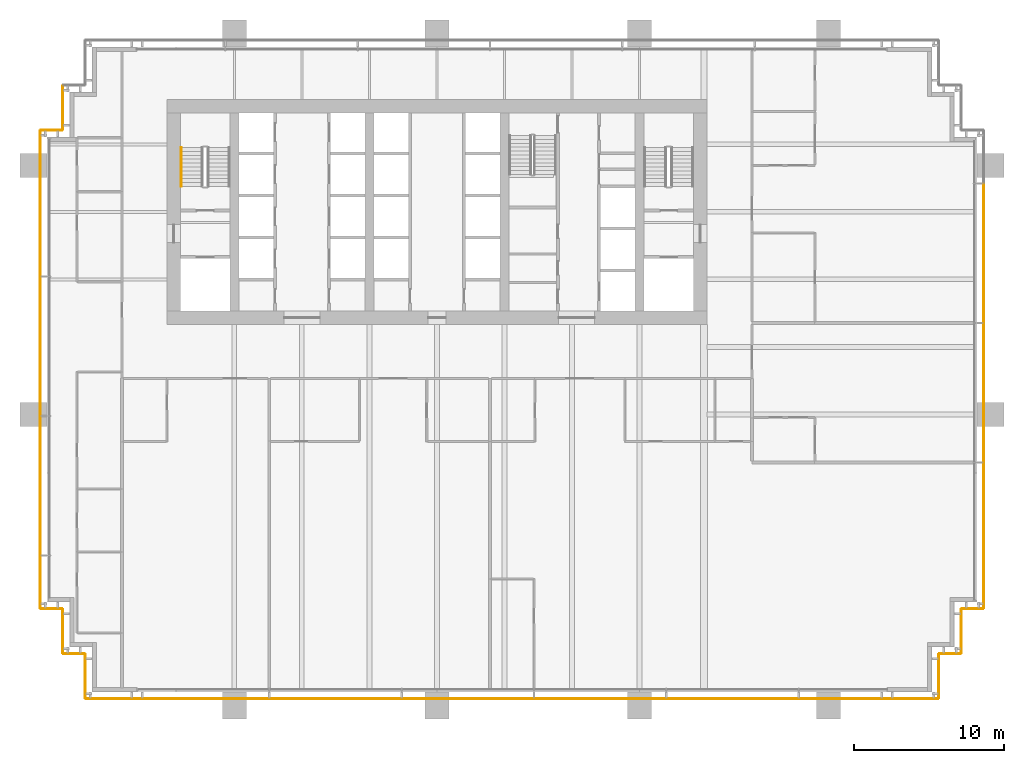
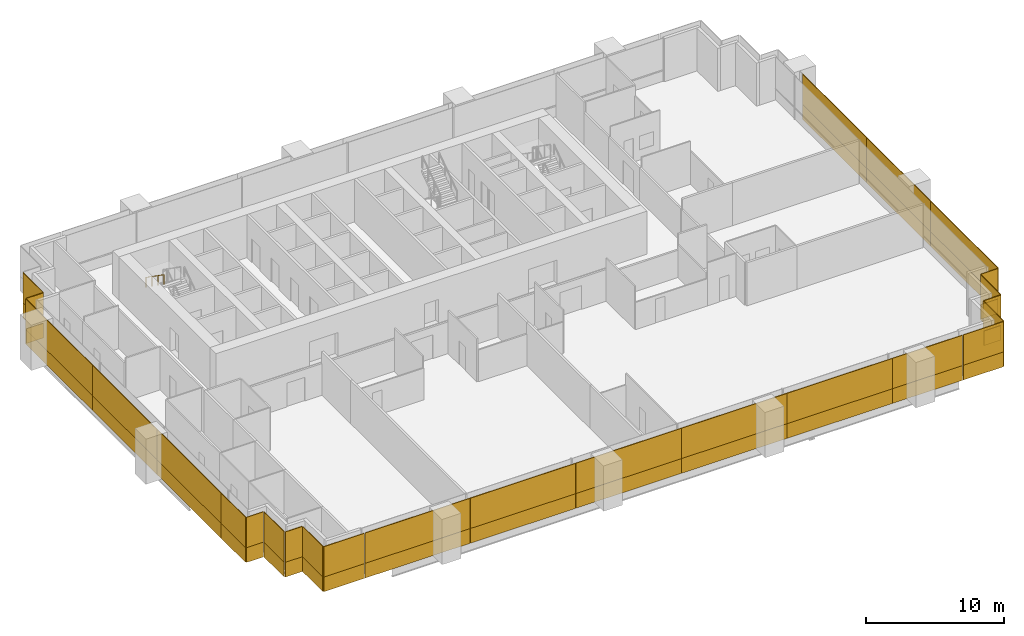
# One storey, part 17 of 19: 50 coverings, 1 railing.
"""IFC4 building model written with IfcOpenShell, lengths in metres."""

from ifc_helpers import new_model, si_unit, direction, frame, origin, origin_2d, place, context, subcontext, project, spatial, rectangle, extrude, material, layer, layer_set, type_object, element, save


model = new_model("IFC4")

# Units and contexts
model_context = context("Model", 3, precision=1e-05, world=origin(), true_north=direction((0.0, 1.0)))
body_context = subcontext(model_context, "Body", "Model", "MODEL_VIEW")
ifc_project = project(units=[si_unit("LENGTHUNIT", "METRE"), si_unit("AREAUNIT", "SQUARE_METRE"), si_unit("VOLUMEUNIT", "CUBIC_METRE"), si_unit("PLANEANGLEUNIT", "RADIAN"), si_unit("MASSUNIT", "GRAM", prefix="KILO")], contexts=[model_context])

# Site, building, storey
site_placement = place(None, origin())
site = spatial("IfcSite", under=ifc_project, at=site_placement, CompositionType="ELEMENT")
building_placement = place(site_placement, origin())
building = spatial("IfcBuilding", under=site, at=building_placement, Name="Rattan Terrace Tower", CompositionType="ELEMENT")
storey_placement = place(building_placement, frame((0.0, 0.0, 87.699951171875)))
storey = spatial("IfcBuildingStorey", under=building, at=storey_placement, Name="L19", CompositionType="ELEMENT", Elevation=87.699951171875)

# Railing
ifc_material_1 = material(Name="Powder-coated steel handrail", Category="steel")
railing_type = type_object("IfcRailingType", Name="Core stair handrail", PredefinedType="HANDRAIL", material=ifc_material_1)
railing_placement = place(storey_placement, frame((-17.050048828125, 4.300048828125, 2.181884765625)))
element("IfcRailing", 1, at=railing_placement, inside=storey, type_object=railing_type, Name="L19 S1 stair handrail 2", PredefinedType="HANDRAIL", context=body_context, shape_type="SweptSolid", body=[
    extrude(rectangle(XDim=0.048095703125, YDim=0.048095703125, at=origin_2d()), frame((0.0, 0.0, 0.8759765625), z_axis=(0.0, -0.819521025635, 0.573049115296), x_axis=(1.0, 0.0, 0.0)), (0.0, 0.0, 1.0), 3.172607421875),
    extrude(rectangle(XDim=0.0419921875, YDim=0.0419921875, at=origin_2d()), origin(), (0.0, 0.0, 1.0), 0.851806640625),
    extrude(rectangle(XDim=0.0419921875, YDim=0.0419921875, at=origin_2d()), frame((0.0, -0.86669921875, 0.60595703125)), (0.0, 0.0, 1.0), 0.851806640625),
    extrude(rectangle(XDim=0.0419921875, YDim=0.0419921875, at=origin_2d()), frame((0.0, -1.7333984375, 1.212158203125)), (0.0, 0.0, 1.0), 0.851806640625),
    extrude(rectangle(XDim=0.0419921875, YDim=0.0419921875, at=origin_2d()), frame((0.0, -2.60009765625, 1.818115234375)), (0.0, 0.0, 1.0), 0.851806640625),
])

# Coverings
ifc_material_2 = material(Name="Solid terracotta", Category="masonry")
ifc_layer_1 = layer(ifc_material_2, 0.06005859375)
ifc_layer_set_1 = layer_set([ifc_layer_1], Name="Facade Terracotta Band Panel")
covering_type_1 = type_object("IfcCoveringType", Name="Facade Terracotta Band Panel", PredefinedType="CLADDING", material=ifc_layer_set_1)
covering_1_placement = place(storey_placement, frame((31.72509765625, -32.449951171875, -0.18994140625), z_axis=(0.0, 0.0, 1.0), x_axis=(1.0, 0.0, 0.0)))
element("IfcCovering", 2, at=covering_1_placement, inside=storey, type_object=covering_type_1, Name="OUTER SKIN panel L19-1A", PredefinedType="CLADDING", context=body_context, shape_type="SweptSolid", body=[
    extrude(rectangle(XDim=3.3701171875, YDim=0.06005859375, at=origin_2d()), origin(), (0.0, 0.0, 1.0), 1.300048828125),
])
covering_2_placement = place(storey_placement, frame((33.449951171875, -30.949951171875, -0.18994140625), z_axis=(0.0, 0.0, 1.0), x_axis=(0.0, 1.0, 0.0)))
element("IfcCovering", 3, at=covering_2_placement, inside=storey, type_object=covering_type_1, Name="OUTER SKIN panel L19-2A", PredefinedType="CLADDING", context=body_context, shape_type="SweptSolid", body=[
    extrude(rectangle(XDim=2.919921875, YDim=0.06005859375, at=origin_2d()), origin(), (0.0, 0.0, 1.0), 1.300048828125),
])
covering_3_placement = place(storey_placement, frame((34.199951171875, -29.449951171875, -0.18994140625), z_axis=(0.0, 0.0, 1.0), x_axis=(1.0, 0.0, 0.0)))
element("IfcCovering", 4, at=covering_3_placement, inside=storey, type_object=covering_type_1, Name="OUTER SKIN panel L19-3A", PredefinedType="CLADDING", context=body_context, shape_type="SweptSolid", body=[
    extrude(rectangle(XDim=1.419921875, YDim=0.06005859375, at=origin_2d()), origin(), (0.0, 0.0, 1.0), 1.300048828125),
])
covering_4_placement = place(storey_placement, frame((34.949951171875, -27.949951171875, -0.18994140625), z_axis=(0.0, 0.0, 1.0), x_axis=(0.0, 1.0, 0.0)))
element("IfcCovering", 5, at=covering_4_placement, inside=storey, type_object=covering_type_1, Name="OUTER SKIN panel L19-4A", PredefinedType="CLADDING", context=body_context, shape_type="SweptSolid", body=[
    extrude(rectangle(XDim=2.919921875, YDim=0.06005859375, at=origin_2d()), origin(), (0.0, 0.0, 1.0), 1.300048828125),
])
covering_5_placement = place(storey_placement, frame((35.699951171875, -26.449951171875, -0.18994140625), z_axis=(0.0, 0.0, 1.0), x_axis=(1.0, 0.0, 0.0)))
element("IfcCovering", 6, at=covering_5_placement, inside=storey, type_object=covering_type_1, Name="OUTER SKIN panel L19-5A", PredefinedType="CLADDING", context=body_context, shape_type="SweptSolid", body=[
    extrude(rectangle(XDim=1.419921875, YDim=0.06005859375, at=origin_2d()), origin(), (0.0, 0.0, 1.0), 1.300048828125),
])
covering_6_placement = place(storey_placement, frame((36.449951171875, -21.56005859375, -0.18994140625), z_axis=(0.0, 0.0, 1.0), x_axis=(0.0, 1.0, 0.0)))
element("IfcCovering", 7, at=covering_6_placement, inside=storey, type_object=covering_type_1, Name="OUTER SKIN panel L19-6A", PredefinedType="CLADDING", context=body_context, shape_type="SweptSolid", body=[
    extrude(rectangle(XDim=9.699951171875, YDim=0.06005859375, at=origin_2d()), origin(), (0.0, 0.0, 1.0), 1.300048828125),
])
for number, where, z_axis, x_axis, name in (
    (8, (36.449951171875, -12.050048828125, -0.18994140625), (0.0, 0.0, 1.0), (0.0, 1.0, 0.0), "OUTER SKIN panel L19-7A"),
    (9, (36.449951171875, -2.75, -0.18994140625), (0.0, 0.0, 1.0), (0.0, 1.0, 0.0), "OUTER SKIN panel L19-8A"),
):
    element("IfcCovering", number, at=place(storey_placement, frame(where, z_axis=z_axis, x_axis=x_axis)), inside=storey, type_object=covering_type_1, Name=name, PredefinedType="CLADDING", context=body_context, shape_type="SweptSolid", body=[
        extrude(rectangle(XDim=9.280029296875, YDim=0.06005859375, at=origin_2d()), origin(), (0.0, 0.0, 1.0), 1.300048828125),
    ])
covering_7_placement = place(storey_placement, frame((-24.949951171875, 6.949951171875, -0.18994140625), z_axis=(0.0, 0.0, 1.0), x_axis=(0.0, -1.0, 0.0)))
element("IfcCovering", 10, at=covering_7_placement, inside=storey, type_object=covering_type_1, Name="OUTER SKIN panel L19-24A", PredefinedType="CLADDING", context=body_context, shape_type="SweptSolid", body=[
    extrude(rectangle(XDim=2.919921875, YDim=0.06005859375, at=origin_2d()), origin(), (0.0, 0.0, 1.0), 1.300048828125),
])
covering_8_placement = place(storey_placement, frame((-25.699951171875, 5.449951171875, -0.18994140625), z_axis=(0.0, 0.0, 1.0), x_axis=(-1.0, 0.0, 0.0)))
element("IfcCovering", 11, at=covering_8_placement, inside=storey, type_object=covering_type_1, Name="OUTER SKIN panel L19-25A", PredefinedType="CLADDING", context=body_context, shape_type="SweptSolid", body=[
    extrude(rectangle(XDim=1.419921875, YDim=0.06005859375, at=origin_2d()), origin(), (0.0, 0.0, 1.0), 1.300048828125),
])
covering_9_placement = place(storey_placement, frame((-26.449951171875, 0.56005859375, -0.18994140625), z_axis=(0.0, 0.0, 1.0), x_axis=(0.0, -1.0, 0.0)))
element("IfcCovering", 12, at=covering_9_placement, inside=storey, type_object=covering_type_1, Name="OUTER SKIN panel L19-26A", PredefinedType="CLADDING", context=body_context, shape_type="SweptSolid", body=[
    extrude(rectangle(XDim=9.699951171875, YDim=0.06005859375, at=origin_2d()), origin(), (0.0, 0.0, 1.0), 1.300048828125),
])
for number, where, z_axis, x_axis, name in (
    (13, (-26.449951171875, -8.949951171875, -0.18994140625), (0.0, 0.0, 1.0), (0.0, -1.0, 0.0), "OUTER SKIN panel L19-27A"),
    (14, (-26.449951171875, -18.25, -0.18994140625), (0.0, 0.0, 1.0), (0.0, -1.0, 0.0), "OUTER SKIN panel L19-28A"),
):
    element("IfcCovering", number, at=place(storey_placement, frame(where, z_axis=z_axis, x_axis=x_axis)), inside=storey, type_object=covering_type_1, Name=name, PredefinedType="CLADDING", context=body_context, shape_type="SweptSolid", body=[
        extrude(rectangle(XDim=9.280029296875, YDim=0.06005859375, at=origin_2d()), origin(), (0.0, 0.0, 1.0), 1.300048828125),
    ])
covering_10_placement = place(storey_placement, frame((-26.449951171875, -24.659912109375, -0.18994140625), z_axis=(0.0, 0.0, 1.0), x_axis=(0.0, -1.0, 0.0)))
element("IfcCovering", 15, at=covering_10_placement, inside=storey, type_object=covering_type_1, Name="OUTER SKIN panel L19-29A", PredefinedType="CLADDING", context=body_context, shape_type="SweptSolid", body=[
    extrude(rectangle(XDim=3.5, YDim=0.06005859375, at=origin_2d()), origin(), (0.0, 0.0, 1.0), 1.300048828125),
])
covering_11_placement = place(storey_placement, frame((-25.699951171875, -26.449951171875, -0.18994140625), z_axis=(0.0, 0.0, 1.0), x_axis=(1.0, 0.0, 0.0)))
element("IfcCovering", 16, at=covering_11_placement, inside=storey, type_object=covering_type_1, Name="OUTER SKIN panel L19-30A", PredefinedType="CLADDING", context=body_context, shape_type="SweptSolid", body=[
    extrude(rectangle(XDim=1.419921875, YDim=0.06005859375, at=origin_2d()), origin(), (0.0, 0.0, 1.0), 1.300048828125),
])
covering_12_placement = place(storey_placement, frame((-24.949951171875, -27.949951171875, -0.18994140625), z_axis=(0.0, 0.0, 1.0), x_axis=(0.0, -1.0, 0.0)))
element("IfcCovering", 17, at=covering_12_placement, inside=storey, type_object=covering_type_1, Name="OUTER SKIN panel L19-31A", PredefinedType="CLADDING", context=body_context, shape_type="SweptSolid", body=[
    extrude(rectangle(XDim=2.919921875, YDim=0.06005859375, at=origin_2d()), origin(), (0.0, 0.0, 1.0), 1.300048828125),
])
covering_13_placement = place(storey_placement, frame((-24.199951171875, -29.449951171875, -0.18994140625), z_axis=(0.0, 0.0, 1.0), x_axis=(1.0, 0.0, 0.0)))
element("IfcCovering", 18, at=covering_13_placement, inside=storey, type_object=covering_type_1, Name="OUTER SKIN panel L19-32A", PredefinedType="CLADDING", context=body_context, shape_type="SweptSolid", body=[
    extrude(rectangle(XDim=1.419921875, YDim=0.06005859375, at=origin_2d()), origin(), (0.0, 0.0, 1.0), 1.300048828125),
])
covering_14_placement = place(storey_placement, frame((-23.449951171875, -30.949951171875, -0.18994140625), z_axis=(0.0, 0.0, 1.0), x_axis=(0.0, -1.0, 0.0)))
element("IfcCovering", 19, at=covering_14_placement, inside=storey, type_object=covering_type_1, Name="OUTER SKIN panel L19-33A", PredefinedType="CLADDING", context=body_context, shape_type="SweptSolid", body=[
    extrude(rectangle(XDim=2.919921875, YDim=0.06005859375, at=origin_2d()), origin(), (0.0, 0.0, 1.0), 1.300048828125),
])
covering_15_placement = place(storey_placement, frame((-21.72509765625, -32.449951171875, -0.18994140625), z_axis=(0.0, 0.0, 1.0), x_axis=(1.0, 0.0, 0.0)))
element("IfcCovering", 20, at=covering_15_placement, inside=storey, type_object=covering_type_1, Name="OUTER SKIN panel L19-34A", PredefinedType="CLADDING", context=body_context, shape_type="SweptSolid", body=[
    extrude(rectangle(XDim=3.3701171875, YDim=0.06005859375, at=origin_2d()), origin(), (0.0, 0.0, 1.0), 1.300048828125),
])
covering_16_placement = place(storey_placement, frame((-15.573486328125, -32.449951171875, -0.18994140625), z_axis=(0.0, 0.0, 1.0), x_axis=(1.0, 0.0, 0.0)))
element("IfcCovering", 21, at=covering_16_placement, inside=storey, type_object=covering_type_1, Name="OUTER SKIN panel L19-35A", PredefinedType="CLADDING", context=body_context, shape_type="SweptSolid", body=[
    extrude(rectangle(XDim=8.77294921875, YDim=0.06005859375, at=origin_2d()), origin(), (0.0, 0.0, 1.0), 1.300048828125),
])
for number, where, z_axis, x_axis, name in (
    (22, (-6.765380859375, -32.449951171875, -0.18994140625), (0.0, 0.0, 1.0), (1.0, 0.0, 0.0), "OUTER SKIN panel L19-36A"),
    (23, (2.0576171875, -32.449951171875, -0.18994140625), (0.0, 0.0, 1.0), (1.0, 0.0, 0.0), "OUTER SKIN panel L19-37A"),
    (24, (10.880615234375, -32.449951171875, -0.18994140625), (0.0, 0.0, 1.0), (1.0, 0.0, 0.0), "OUTER SKIN panel L19-38A"),
    (25, (19.70361328125, -32.449951171875, -0.18994140625), (0.0, 0.0, 1.0), (1.0, 0.0, 0.0), "OUTER SKIN panel L19-39A"),
):
    element("IfcCovering", number, at=place(storey_placement, frame(where, z_axis=z_axis, x_axis=x_axis)), inside=storey, type_object=covering_type_1, Name=name, PredefinedType="CLADDING", context=body_context, shape_type="SweptSolid", body=[
        extrude(rectangle(XDim=8.802978515625, YDim=0.06005859375, at=origin_2d()), origin(), (0.0, 0.0, 1.0), 1.300048828125),
    ])
covering_17_placement = place(storey_placement, frame((27.04248046875, -32.449951171875, -0.18994140625), z_axis=(0.0, 0.0, 1.0), x_axis=(1.0, 0.0, 0.0)))
element("IfcCovering", 26, at=covering_17_placement, inside=storey, type_object=covering_type_1, Name="OUTER SKIN panel L19-40A", PredefinedType="CLADDING", context=body_context, shape_type="SweptSolid", body=[
    extrude(rectangle(XDim=5.8349609375, YDim=0.06005859375, at=origin_2d()), origin(), (0.0, 0.0, 1.0), 1.300048828125),
])
ifc_material_3 = material(Name="Perforated terracotta", Category="masonry")
ifc_layer_2 = layer(ifc_material_3, 0.06005859375)
ifc_layer_set_2 = layer_set([ifc_layer_2], Name="Facade Terracotta Screen Panel")
covering_type_2 = type_object("IfcCoveringType", Name="Facade Terracotta Screen Panel", PredefinedType="CLADDING", material=ifc_layer_set_2)
covering_18_placement = place(storey_placement, frame((31.72509765625, -32.449951171875, 1.10986328125), z_axis=(0.0, 0.0, 1.0), x_axis=(1.0, 0.0, 0.0)))
element("IfcCovering", 27, at=covering_18_placement, inside=storey, type_object=covering_type_2, Name="OUTER SKIN panel L19-1B", PredefinedType="CLADDING", context=body_context, shape_type="SweptSolid", body=[
    extrude(rectangle(XDim=3.3701171875, YDim=0.06005859375, at=origin_2d()), origin(), (0.0, 0.0, 1.0), 2.679931640625),
])
covering_19_placement = place(storey_placement, frame((33.449951171875, -30.949951171875, 1.10986328125), z_axis=(0.0, 0.0, 1.0), x_axis=(0.0, 1.0, 0.0)))
element("IfcCovering", 28, at=covering_19_placement, inside=storey, type_object=covering_type_2, Name="OUTER SKIN panel L19-2B", PredefinedType="CLADDING", context=body_context, shape_type="SweptSolid", body=[
    extrude(rectangle(XDim=2.919921875, YDim=0.06005859375, at=origin_2d()), origin(), (0.0, 0.0, 1.0), 2.679931640625),
])
covering_20_placement = place(storey_placement, frame((34.199951171875, -29.449951171875, 1.10986328125), z_axis=(0.0, 0.0, 1.0), x_axis=(1.0, 0.0, 0.0)))
element("IfcCovering", 29, at=covering_20_placement, inside=storey, type_object=covering_type_2, Name="OUTER SKIN panel L19-3B", PredefinedType="CLADDING", context=body_context, shape_type="SweptSolid", body=[
    extrude(rectangle(XDim=1.419921875, YDim=0.06005859375, at=origin_2d()), origin(), (0.0, 0.0, 1.0), 2.679931640625),
])
covering_21_placement = place(storey_placement, frame((34.949951171875, -27.949951171875, 1.10986328125), z_axis=(0.0, 0.0, 1.0), x_axis=(0.0, 1.0, 0.0)))
element("IfcCovering", 30, at=covering_21_placement, inside=storey, type_object=covering_type_2, Name="OUTER SKIN panel L19-4B", PredefinedType="CLADDING", context=body_context, shape_type="SweptSolid", body=[
    extrude(rectangle(XDim=2.919921875, YDim=0.06005859375, at=origin_2d()), origin(), (0.0, 0.0, 1.0), 2.679931640625),
])
covering_22_placement = place(storey_placement, frame((35.699951171875, -26.449951171875, 1.10986328125), z_axis=(0.0, 0.0, 1.0), x_axis=(1.0, 0.0, 0.0)))
element("IfcCovering", 31, at=covering_22_placement, inside=storey, type_object=covering_type_2, Name="OUTER SKIN panel L19-5B", PredefinedType="CLADDING", context=body_context, shape_type="SweptSolid", body=[
    extrude(rectangle(XDim=1.419921875, YDim=0.06005859375, at=origin_2d()), origin(), (0.0, 0.0, 1.0), 2.679931640625),
])
covering_23_placement = place(storey_placement, frame((36.449951171875, -21.56005859375, 1.10986328125), z_axis=(0.0, 0.0, 1.0), x_axis=(0.0, 1.0, 0.0)))
element("IfcCovering", 32, at=covering_23_placement, inside=storey, type_object=covering_type_2, Name="OUTER SKIN panel L19-6B", PredefinedType="CLADDING", context=body_context, shape_type="SweptSolid", body=[
    extrude(rectangle(XDim=9.699951171875, YDim=0.06005859375, at=origin_2d()), origin(), (0.0, 0.0, 1.0), 2.679931640625),
])
for number, where, z_axis, x_axis, name in (
    (33, (36.449951171875, -12.050048828125, 1.10986328125), (0.0, 0.0, 1.0), (0.0, 1.0, 0.0), "OUTER SKIN panel L19-7B"),
    (34, (36.449951171875, -2.75, 1.10986328125), (0.0, 0.0, 1.0), (0.0, 1.0, 0.0), "OUTER SKIN panel L19-8B"),
):
    element("IfcCovering", number, at=place(storey_placement, frame(where, z_axis=z_axis, x_axis=x_axis)), inside=storey, type_object=covering_type_2, Name=name, PredefinedType="CLADDING", context=body_context, shape_type="SweptSolid", body=[
        extrude(rectangle(XDim=9.280029296875, YDim=0.06005859375, at=origin_2d()), origin(), (0.0, 0.0, 1.0), 2.679931640625),
    ])
covering_24_placement = place(storey_placement, frame((-24.949951171875, 6.949951171875, 1.10986328125), z_axis=(0.0, 0.0, 1.0), x_axis=(0.0, -1.0, 0.0)))
element("IfcCovering", 35, at=covering_24_placement, inside=storey, type_object=covering_type_2, Name="OUTER SKIN panel L19-24B", PredefinedType="CLADDING", context=body_context, shape_type="SweptSolid", body=[
    extrude(rectangle(XDim=2.919921875, YDim=0.06005859375, at=origin_2d()), origin(), (0.0, 0.0, 1.0), 2.679931640625),
])
covering_25_placement = place(storey_placement, frame((-25.699951171875, 5.449951171875, 1.10986328125), z_axis=(0.0, 0.0, 1.0), x_axis=(-1.0, 0.0, 0.0)))
element("IfcCovering", 36, at=covering_25_placement, inside=storey, type_object=covering_type_2, Name="OUTER SKIN panel L19-25B", PredefinedType="CLADDING", context=body_context, shape_type="SweptSolid", body=[
    extrude(rectangle(XDim=1.419921875, YDim=0.06005859375, at=origin_2d()), origin(), (0.0, 0.0, 1.0), 2.679931640625),
])
covering_26_placement = place(storey_placement, frame((-26.449951171875, 0.56005859375, 1.10986328125), z_axis=(0.0, 0.0, 1.0), x_axis=(0.0, -1.0, 0.0)))
element("IfcCovering", 37, at=covering_26_placement, inside=storey, type_object=covering_type_2, Name="OUTER SKIN panel L19-26B", PredefinedType="CLADDING", context=body_context, shape_type="SweptSolid", body=[
    extrude(rectangle(XDim=9.699951171875, YDim=0.06005859375, at=origin_2d()), origin(), (0.0, 0.0, 1.0), 2.679931640625),
])
for number, where, z_axis, x_axis, name in (
    (38, (-26.449951171875, -8.949951171875, 1.10986328125), (0.0, 0.0, 1.0), (0.0, -1.0, 0.0), "OUTER SKIN panel L19-27B"),
    (39, (-26.449951171875, -18.25, 1.10986328125), (0.0, 0.0, 1.0), (0.0, -1.0, 0.0), "OUTER SKIN panel L19-28B"),
):
    element("IfcCovering", number, at=place(storey_placement, frame(where, z_axis=z_axis, x_axis=x_axis)), inside=storey, type_object=covering_type_2, Name=name, PredefinedType="CLADDING", context=body_context, shape_type="SweptSolid", body=[
        extrude(rectangle(XDim=9.280029296875, YDim=0.06005859375, at=origin_2d()), origin(), (0.0, 0.0, 1.0), 2.679931640625),
    ])
covering_27_placement = place(storey_placement, frame((-26.449951171875, -24.659912109375, 1.10986328125), z_axis=(0.0, 0.0, 1.0), x_axis=(0.0, -1.0, 0.0)))
element("IfcCovering", 40, at=covering_27_placement, inside=storey, type_object=covering_type_2, Name="OUTER SKIN panel L19-29B", PredefinedType="CLADDING", context=body_context, shape_type="SweptSolid", body=[
    extrude(rectangle(XDim=3.5, YDim=0.06005859375, at=origin_2d()), origin(), (0.0, 0.0, 1.0), 2.679931640625),
])
covering_28_placement = place(storey_placement, frame((-25.699951171875, -26.449951171875, 1.10986328125), z_axis=(0.0, 0.0, 1.0), x_axis=(1.0, 0.0, 0.0)))
element("IfcCovering", 41, at=covering_28_placement, inside=storey, type_object=covering_type_2, Name="OUTER SKIN panel L19-30B", PredefinedType="CLADDING", context=body_context, shape_type="SweptSolid", body=[
    extrude(rectangle(XDim=1.419921875, YDim=0.06005859375, at=origin_2d()), origin(), (0.0, 0.0, 1.0), 2.679931640625),
])
covering_29_placement = place(storey_placement, frame((-24.949951171875, -27.949951171875, 1.10986328125), z_axis=(0.0, 0.0, 1.0), x_axis=(0.0, -1.0, 0.0)))
element("IfcCovering", 42, at=covering_29_placement, inside=storey, type_object=covering_type_2, Name="OUTER SKIN panel L19-31B", PredefinedType="CLADDING", context=body_context, shape_type="SweptSolid", body=[
    extrude(rectangle(XDim=2.919921875, YDim=0.06005859375, at=origin_2d()), origin(), (0.0, 0.0, 1.0), 2.679931640625),
])
covering_30_placement = place(storey_placement, frame((-24.199951171875, -29.449951171875, 1.10986328125), z_axis=(0.0, 0.0, 1.0), x_axis=(1.0, 0.0, 0.0)))
element("IfcCovering", 43, at=covering_30_placement, inside=storey, type_object=covering_type_2, Name="OUTER SKIN panel L19-32B", PredefinedType="CLADDING", context=body_context, shape_type="SweptSolid", body=[
    extrude(rectangle(XDim=1.419921875, YDim=0.06005859375, at=origin_2d()), origin(), (0.0, 0.0, 1.0), 2.679931640625),
])
covering_31_placement = place(storey_placement, frame((-23.449951171875, -30.949951171875, 1.10986328125), z_axis=(0.0, 0.0, 1.0), x_axis=(0.0, -1.0, 0.0)))
element("IfcCovering", 44, at=covering_31_placement, inside=storey, type_object=covering_type_2, Name="OUTER SKIN panel L19-33B", PredefinedType="CLADDING", context=body_context, shape_type="SweptSolid", body=[
    extrude(rectangle(XDim=2.919921875, YDim=0.06005859375, at=origin_2d()), origin(), (0.0, 0.0, 1.0), 2.679931640625),
])
covering_32_placement = place(storey_placement, frame((-21.72509765625, -32.449951171875, 1.10986328125), z_axis=(0.0, 0.0, 1.0), x_axis=(1.0, 0.0, 0.0)))
element("IfcCovering", 45, at=covering_32_placement, inside=storey, type_object=covering_type_2, Name="OUTER SKIN panel L19-34B", PredefinedType="CLADDING", context=body_context, shape_type="SweptSolid", body=[
    extrude(rectangle(XDim=3.3701171875, YDim=0.06005859375, at=origin_2d()), origin(), (0.0, 0.0, 1.0), 2.679931640625),
])
covering_33_placement = place(storey_placement, frame((-15.573486328125, -32.449951171875, 1.10986328125), z_axis=(0.0, 0.0, 1.0), x_axis=(1.0, 0.0, 0.0)))
element("IfcCovering", 46, at=covering_33_placement, inside=storey, type_object=covering_type_2, Name="OUTER SKIN panel L19-35B", PredefinedType="CLADDING", context=body_context, shape_type="SweptSolid", body=[
    extrude(rectangle(XDim=8.77294921875, YDim=0.06005859375, at=origin_2d()), origin(), (0.0, 0.0, 1.0), 2.679931640625),
])
for number, where, z_axis, x_axis, name in (
    (47, (-6.765380859375, -32.449951171875, 1.10986328125), (0.0, 0.0, 1.0), (1.0, 0.0, 0.0), "OUTER SKIN panel L19-36B"),
    (48, (2.0576171875, -32.449951171875, 1.10986328125), (0.0, 0.0, 1.0), (1.0, 0.0, 0.0), "OUTER SKIN panel L19-37B"),
    (49, (10.880615234375, -32.449951171875, 1.10986328125), (0.0, 0.0, 1.0), (1.0, 0.0, 0.0), "OUTER SKIN panel L19-38B"),
    (50, (19.70361328125, -32.449951171875, 1.10986328125), (0.0, 0.0, 1.0), (1.0, 0.0, 0.0), "OUTER SKIN panel L19-39B"),
):
    element("IfcCovering", number, at=place(storey_placement, frame(where, z_axis=z_axis, x_axis=x_axis)), inside=storey, type_object=covering_type_2, Name=name, PredefinedType="CLADDING", context=body_context, shape_type="SweptSolid", body=[
        extrude(rectangle(XDim=8.802978515625, YDim=0.06005859375, at=origin_2d()), origin(), (0.0, 0.0, 1.0), 2.679931640625),
    ])
covering_34_placement = place(storey_placement, frame((27.04248046875, -32.449951171875, 1.10986328125), z_axis=(0.0, 0.0, 1.0), x_axis=(1.0, 0.0, 0.0)))
element("IfcCovering", 51, at=covering_34_placement, inside=storey, type_object=covering_type_2, Name="OUTER SKIN panel L19-40B", PredefinedType="CLADDING", context=body_context, shape_type="SweptSolid", body=[
    extrude(rectangle(XDim=5.8349609375, YDim=0.06005859375, at=origin_2d()), origin(), (0.0, 0.0, 1.0), 2.679931640625),
])

save(model, "model.ifc")
